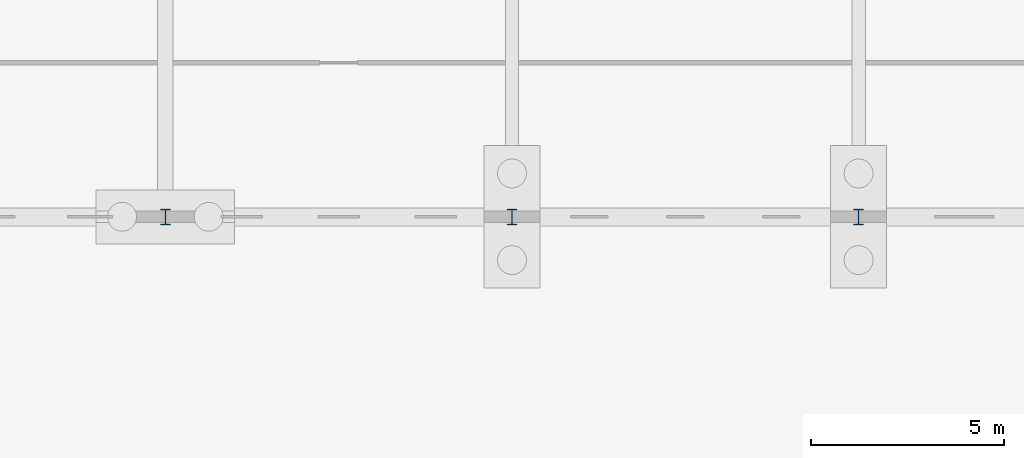
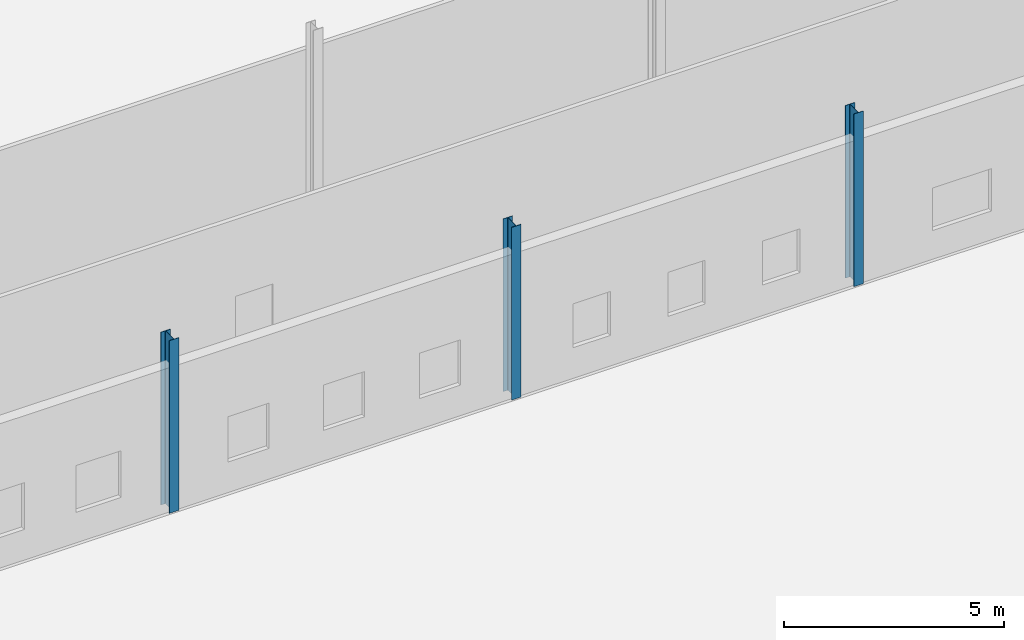
# One storey, part 27 of 112: 3 columns.
"""IFC4 building model written with IfcOpenShell, lengths in metres."""

from ifc_helpers import new_model, si_unit, direction, frame, origin, origin_2d, place, context, subcontext, project, spatial, i_section, extrude, material, material_profile, profile_set, type_object, element, save


model = new_model("IFC4")

# Units and contexts
model_context = context("Model", 3, precision=1e-05, world=origin(), true_north=direction((0.0, 1.0)))
body_context = subcontext(model_context, "Body", "Model", "MODEL_VIEW")
ifc_project = project(units=[si_unit("LENGTHUNIT", "METRE"), si_unit("AREAUNIT", "SQUARE_METRE"), si_unit("VOLUMEUNIT", "CUBIC_METRE"), si_unit("PLANEANGLEUNIT", "RADIAN"), si_unit("MASSUNIT", "GRAM", prefix="KILO")], contexts=[model_context])

# Site, building, storey
site_placement = place(None, origin())
site = spatial("IfcSite", under=ifc_project, at=site_placement, CompositionType="ELEMENT")
building_placement = place(site_placement, origin())
building = spatial("IfcBuilding", under=site, at=building_placement, Name="Tharagai Park Tramway Depot", CompositionType="ELEMENT")
storey_placement = place(building_placement, origin())
storey = spatial("IfcBuildingStorey", under=building, at=storey_placement, Name="L00", CompositionType="ELEMENT", Elevation=0.0)

# Columns
ifc_material = material(Name="Steel E350", Category="steel")
ifc_material_profile = material_profile(ifc_material, i_section(OverallWidth=0.25, OverallDepth=0.39990234375, WebThickness=0.010498046875, FlangeThickness=0.0126953125, FilletRadius=0.013916015625, at=origin_2d()), Name="ISHB 400")
ifc_profile_set = profile_set([ifc_material_profile], Name="Steel E350")
column_type = type_object("IfcColumnType", Name="CL-06", PredefinedType="COLUMN", material=ifc_profile_set)
for number, where, z_axis, x_axis, name in (
    (1, (99.0, 90.0, 0.0), (0.0, 0.0, 1.0), (1.0, 0.0, 0.0), "L00 Structural Column CL-06 (99,90)"),
    (2, (108.0, 90.0, 0.0), (0.0, 0.0, 1.0), (1.0, 0.0, 0.0), "L00 Structural Column CL-06 (108,90)"),
    (3, (117.0, 90.0, 0.0), (0.0, 0.0, 1.0), (1.0, 0.0, 0.0), "L00 Structural Column CL-06 (117,90)"),
):
    element("IfcColumn", number, at=place(storey_placement, frame(where, z_axis=z_axis, x_axis=x_axis)), inside=storey, type_object=column_type, Name=name, PredefinedType="COLUMN", context=body_context, shape_type="SweptSolid", body=[
        extrude(i_section(OverallWidth=0.25, OverallDepth=0.39990234375, WebThickness=0.010498046875, FlangeThickness=0.0126953125, FilletRadius=0.013916015625, at=origin_2d()), origin(), (0.0, 0.0, 1.0), 4.800048828125),
    ])

save(model, "model.ifc")
